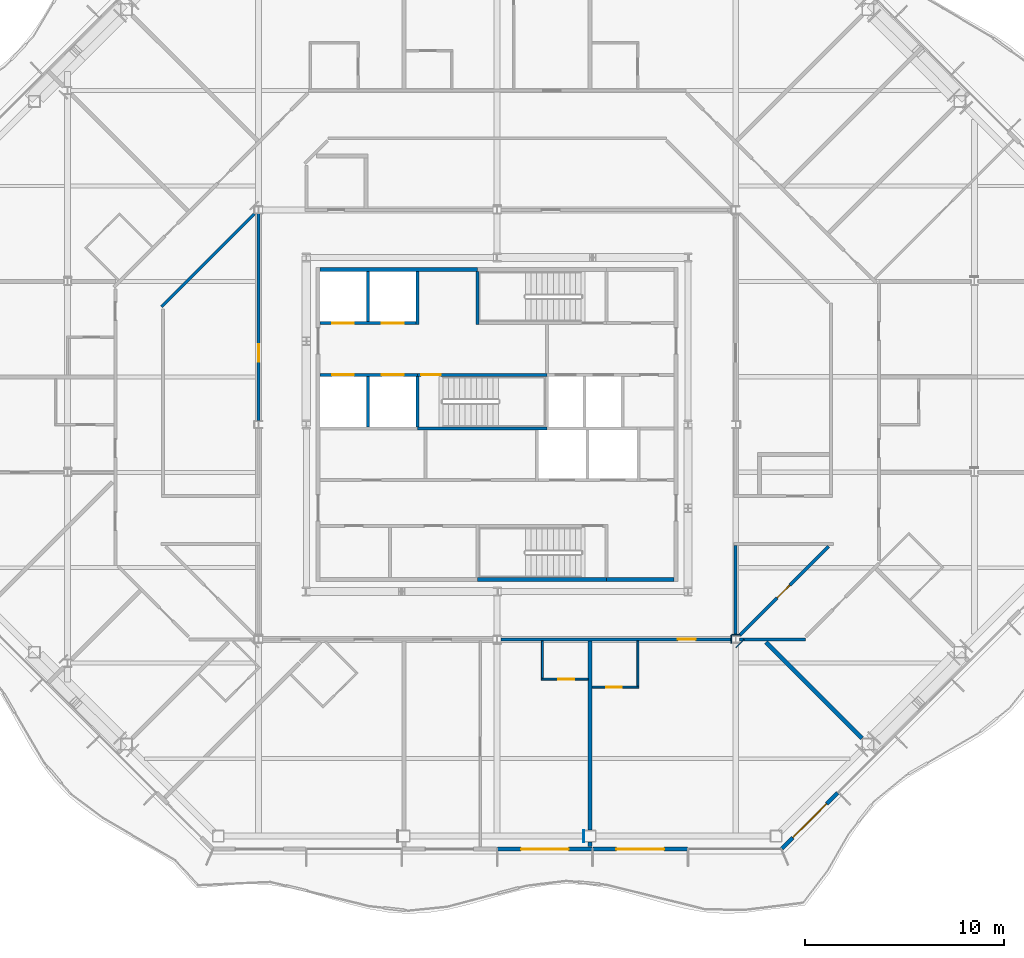
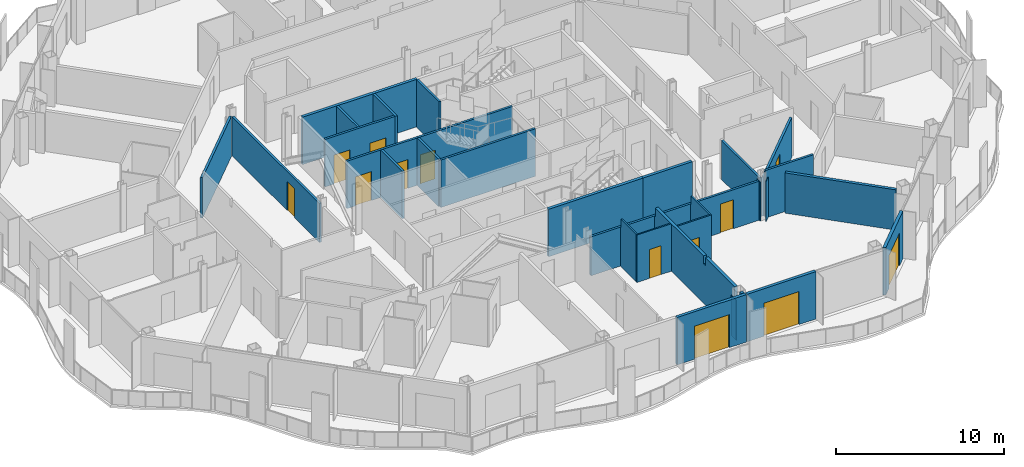
# One storey, part 9 of 21: 32 walls, 13 doors, 13 openings.
"""IFC4 building model written with IfcOpenShell, lengths in metres."""

from ifc_helpers import new_model, si_unit, direction, frame, frame_2d, origin, place, context, subcontext, project, spatial, polyline, rectangle, outline, extrude, material, layer, layer_set, type_object, element, fill, save


model = new_model("IFC4")

# Units and contexts
model_context = context("Model", 3, precision=1e-05, world=origin(), true_north=direction((0.0, 1.0)))
body_context = subcontext(model_context, "Body", "Model", "MODEL_VIEW")
ifc_project = project(units=[si_unit("LENGTHUNIT", "METRE"), si_unit("AREAUNIT", "SQUARE_METRE"), si_unit("VOLUMEUNIT", "CUBIC_METRE"), si_unit("PLANEANGLEUNIT", "RADIAN"), si_unit("MASSUNIT", "GRAM", prefix="KILO")], contexts=[model_context])

# Site, building, storey
site_placement = place(None, origin())
site = spatial("IfcSite", under=ifc_project, at=site_placement, CompositionType="ELEMENT")
building_placement = place(site_placement, origin())
building = spatial("IfcBuilding", under=site, at=building_placement, Name="Cairn Pilgrim Tower", CompositionType="ELEMENT")
storey_placement = place(building_placement, frame((0.0, 0.0, 150.60009765625)))
storey = spatial("IfcBuildingStorey", under=building, at=storey_placement, Name="L37", CompositionType="ELEMENT", Elevation=150.60009765625)

# Wall, opening, door
ifc_material_1 = material(Name="Bronze anodised aluminium insulated sandwich panel with mineral wool fill", Category="aluminium")
ifc_layer_1 = layer(ifc_material_1, 0.199951171875)
ifc_layer_set_1 = layer_set([ifc_layer_1], Name="BRONZE INFILL FRAME WALL 200")
wall_type_1 = type_object("IfcWallType", Name="BRONZE INFILL FRAME WALL 200", PredefinedType="NOTDEFINED", material=ifc_layer_set_1)
wall_1_placement = place(storey_placement, frame((7.22998046875, -18.949951171875, 0.0), z_axis=(0.0, 0.0, 1.0), x_axis=(1.0, 0.0, 0.0)))
wall_1 = element("IfcWall", 1, at=wall_1_placement, inside=storey, type_object=wall_type_1, Name="Bronze infill frame wall IW-S4", PredefinedType="NOTDEFINED", context=body_context, shape_type="SweptSolid", body=[
    extrude(rectangle(XDim=4.739990234375, YDim=0.199951171875, at=frame_2d((2.3701171875, 0.0))), origin(), (0.0, 0.0, 1.0), 3.449951171875),
])
opening_1_placement = place(wall_1_placement, frame((1.17041015625, 0.0, 0.0)))
opening_1 = element("IfcOpeningElement", 2, at=opening_1_placement, cuts=wall_1, Name="Opening 3720SB", PredefinedType="OPENING", context=body_context, shape_type="SweptSolid", body=[
    extrude(rectangle(XDim=2.39990234375, YDim=2.39990234375, at=frame_2d((1.199951171875, 1.199951171875))), frame((0.0, 0.10986328125, 0.0), z_axis=(0.0, -1.0, 0.0), x_axis=(1.0, 0.0, 0.0)), (0.0, 0.0, 1.0), 0.219970703125),
])
ifc_material_2 = material(Name="Bronze anodised aluminium frame with tinted low-E glass", Category="aluminium")
door_type_1 = type_object("IfcDoorType", Name="BALCONY SLIDING DOOR 2400x2400", OperationType="DOUBLE_DOOR_SLIDING", PredefinedType="DOOR", material=ifc_material_2)
door_1_placement = place(opening_1_placement, origin())
door_1 = element("IfcDoor", 3, at=door_1_placement, inside=storey, type_object=door_type_1, Name="Balcony sliding door 3720SB", OperationType="SINGLE_SWING_LEFT", OverallHeight=2.39990234375, OverallWidth=2.39990234375, PredefinedType="DOOR", context=body_context, shape_type="SweptSolid", body=[
    extrude(rectangle(XDim=2.39990234375, YDim=2.39990234375, at=frame_2d((1.199951171875, 1.199951171875))), frame((0.0, 0.02490234375, 0.0), z_axis=(0.0, -1.0, 0.0), x_axis=(1.0, 0.0, 0.0)), (0.0, 0.0, 1.0), 0.050048828125),
])
fill(opening_1, door_1)

wall_2_placement = place(storey_placement, frame((12.030029296875, -18.949951171875, 0.0), z_axis=(0.0, 0.0, 1.0), x_axis=(1.0, 0.0, 0.0)))
wall_2 = element("IfcWall", 4, at=wall_2_placement, inside=storey, type_object=wall_type_1, Name="Bronze infill frame wall IW-S5", PredefinedType="NOTDEFINED", context=body_context, shape_type="SweptSolid", body=[
    extrude(rectangle(XDim=4.739990234375, YDim=0.199951171875, at=frame_2d((2.3701171875, 0.0))), origin(), (0.0, 0.0, 1.0), 3.449951171875),
])
opening_2_placement = place(wall_2_placement, frame((1.169677734375, 0.0, 0.0)))
opening_2 = element("IfcOpeningElement", 5, at=opening_2_placement, cuts=wall_2, Name="Opening 3701B", PredefinedType="OPENING", context=body_context, shape_type="SweptSolid", body=[
    extrude(rectangle(XDim=2.39990234375, YDim=2.39990234375, at=frame_2d((1.199951171875, 1.199951171875))), frame((0.0, 0.10986328125, 0.0), z_axis=(0.0, -1.0, 0.0), x_axis=(1.0, 0.0, 0.0)), (0.0, 0.0, 1.0), 0.219970703125),
])
door_2_placement = place(opening_2_placement, origin())
door_2 = element("IfcDoor", 6, at=door_2_placement, inside=storey, type_object=door_type_1, Name="Balcony sliding door 3701B", OperationType="SINGLE_SWING_LEFT", OverallHeight=2.39990234375, OverallWidth=2.39990234375, PredefinedType="DOOR", context=body_context, shape_type="SweptSolid", body=[
    extrude(rectangle(XDim=2.39990234375, YDim=2.39990234375, at=frame_2d((1.199951171875, 1.199951171875))), frame((0.0, 0.02490234375, 0.0), z_axis=(0.0, -1.0, 0.0), x_axis=(1.0, 0.0, 0.0)), (0.0, 0.0, 1.0), 0.050048828125),
])
fill(opening_2, door_2)

wall_3_placement = place(storey_placement, frame((21.524658203125, -18.921630859375, 0.0), z_axis=(0.0, 0.0, 1.0), x_axis=(0.707137595296, 0.707075965734, 0.0)))
wall_3 = element("IfcWall", 7, at=wall_3_placement, inside=storey, type_object=wall_type_1, Name="Bronze infill frame wall IW-SE1", PredefinedType="NOTDEFINED", context=body_context, shape_type="SweptSolid", body=[
    extrude(rectangle(XDim=3.96142578125, YDim=0.199951171875, at=frame_2d((1.980712890625, 0.0))), origin(), (0.0, 0.0, 1.0), 3.449951171875),
])
opening_3_placement = place(wall_3_placement, frame((0.775390625, 0.0, 0.0)))
opening_3 = element("IfcOpeningElement", 8, at=opening_3_placement, cuts=wall_3, Name="Opening 3701B2", PredefinedType="OPENING", context=body_context, shape_type="SweptSolid", body=[
    extrude(rectangle(XDim=2.39990234375, YDim=2.39990234375, at=frame_2d((1.199951171875, 1.199951171875))), frame((0.0, 0.10986328125, 0.0), z_axis=(0.0, -1.0, 0.0), x_axis=(1.0, 0.0, 0.0)), (0.0, 0.0, 1.0), 0.219970703125),
])
door_3_placement = place(opening_3_placement, origin())
door_3 = element("IfcDoor", 9, at=door_3_placement, inside=storey, type_object=door_type_1, Name="Balcony sliding door 3701B2", OperationType="SINGLE_SWING_LEFT", OverallHeight=2.39990234375, OverallWidth=2.39990234375, PredefinedType="DOOR", context=body_context, shape_type="SweptSolid", body=[
    extrude(rectangle(XDim=2.39990234375, YDim=2.39990234375, at=frame_2d((1.199951171875, 1.199951171875))), frame((0.0, 0.02490234375, 0.0), z_axis=(0.0, -1.0, 0.0), x_axis=(1.0, 0.0, 0.0)), (0.0, 0.0, 1.0), 0.050048828125),
])
fill(opening_3, door_3)

# Walls
ifc_material_3 = material(Name="Concrete C32/40", Category="concrete")
ifc_layer_2 = layer(ifc_material_3, 0.199951171875)
ifc_layer_set_2 = layer_set([ifc_layer_2], Name="CORE OUTER WALL 200 EI 120")
wall_type_2 = type_object("IfcWallType", Name="CORE OUTER WALL 200 EI 120", PredefinedType="SOLIDWALL", material=ifc_layer_set_2)
wall_4_placement = place(storey_placement, frame((12.699951171875, -5.39990234375, 0.0), z_axis=(0.0, 0.0, 1.0), x_axis=(1.0, 0.0, 0.0)))
element("IfcWall", 10, at=wall_4_placement, inside=storey, type_object=wall_type_2, Name="CW:L37:H01-3", PredefinedType="SOLIDWALL", context=body_context, shape_type="SweptSolid", body=[
    extrude(rectangle(XDim=3.400146484375, YDim=0.199951171875, at=frame_2d((1.7001953125, 0.0))), origin(), (0.0, 0.0, 1.0), 3.449951171875),
])
wall_5_placement = place(storey_placement, frame((-1.699951171875, 10.199951171875, 0.0), z_axis=(0.0, 0.0, 1.0), x_axis=(1.0, 0.0, 0.0)))
element("IfcWall", 11, at=wall_5_placement, inside=storey, type_object=wall_type_2, Name="CW:L37:H12-1", PredefinedType="SOLIDWALL", context=body_context, shape_type="SweptSolid", body=[
    extrude(rectangle(XDim=7.89990234375, YDim=0.199951171875, at=frame_2d((3.949951171875, 0.0))), origin(), (0.0, 0.0, 1.0), 3.449951171875),
])

# Wall, openings, doors
ifc_layer_3 = layer(ifc_material_3, 0.14990234375)
ifc_layer_set_3 = layer_set([ifc_layer_3], Name="CORE SHAFT WALL 150 EI 120")
wall_type_3 = type_object("IfcWallType", Name="CORE SHAFT WALL 150 EI 120", PredefinedType="SOLIDWALL", material=ifc_layer_set_3)
wall_6_placement = place(storey_placement, frame((-1.699951171875, 4.89990234375, 0.0), z_axis=(0.0, 0.0, 1.0), x_axis=(1.0, 0.0, 0.0)))
wall_6 = element("IfcWall", 12, at=wall_6_placement, inside=storey, type_object=wall_type_3, Name="CW:L37:H09-1", PredefinedType="SOLIDWALL", context=body_context, shape_type="SweptSolid", body=[
    extrude(rectangle(XDim=4.89990234375, YDim=0.14990234375, at=frame_2d((2.449951171875, 0.0))), origin(), (0.0, 0.0, 1.0), 3.449951171875),
])
opening_4_placement = place(wall_6_placement, frame((0.60009765625, 0.0, 0.0)))
opening_4 = element("IfcOpeningElement", 13, at=opening_4_placement, cuts=wall_6, Name="Opening LD-HR1", PredefinedType="OPENING", context=body_context, shape_type="SweptSolid", body=[
    extrude(rectangle(XDim=1.10009765625, YDim=2.10009765625, at=frame_2d((0.550048828125, 1.050048828125))), frame((0.0, 0.0849609375, 0.0), z_axis=(0.0, -1.0, 0.0), x_axis=(1.0, 0.0, 0.0)), (0.0, 0.0, 1.0), 0.169921875),
])
opening_5_placement = place(wall_6_placement, frame((3.10009765625, 0.0, 0.0)))
opening_5 = element("IfcOpeningElement", 14, at=opening_5_placement, cuts=wall_6, Name="Opening LD-HR2", PredefinedType="OPENING", context=body_context, shape_type="SweptSolid", body=[
    extrude(rectangle(XDim=1.10009765625, YDim=2.10009765625, at=frame_2d((0.550048828125, 1.050048828125))), frame((0.0, 0.0849609375, 0.0), z_axis=(0.0, -1.0, 0.0), x_axis=(1.0, 0.0, 0.0)), (0.0, 0.0, 1.0), 0.169921875),
])
ifc_material_4 = material(Name="Stainless steel", Category="steel")
door_type_2 = type_object("IfcDoorType", Name="LIFT LANDING DOOR 1100x2100", OperationType="DOUBLE_DOOR_SLIDING", PredefinedType="DOOR", material=ifc_material_4)
door_4_placement = place(opening_4_placement, origin())
door_4 = element("IfcDoor", 15, at=door_4_placement, inside=storey, type_object=door_type_2, Name="LANDING DOOR HR1", OperationType="DOUBLE_DOOR_SLIDING", OverallHeight=2.10009765625, OverallWidth=1.10009765625, PredefinedType="DOOR", context=body_context, shape_type="SweptSolid", body=[
    extrude(rectangle(XDim=1.10009765625, YDim=2.10009765625, at=frame_2d((0.550048828125, 1.050048828125))), frame((0.0, 0.02490234375, 0.0), z_axis=(0.0, -1.0, 0.0), x_axis=(1.0, 0.0, 0.0)), (0.0, 0.0, 1.0), 0.050048828125),
])
fill(opening_4, door_4)
door_5_placement = place(opening_5_placement, origin())
door_5 = element("IfcDoor", 16, at=door_5_placement, inside=storey, type_object=door_type_2, Name="LANDING DOOR HR2", OperationType="DOUBLE_DOOR_SLIDING", OverallHeight=2.10009765625, OverallWidth=1.10009765625, PredefinedType="DOOR", context=body_context, shape_type="SweptSolid", body=[
    extrude(rectangle(XDim=1.10009765625, YDim=2.10009765625, at=frame_2d((0.550048828125, 1.050048828125))), frame((0.0, 0.02490234375, 0.0), z_axis=(0.0, -1.0, 0.0), x_axis=(1.0, 0.0, 0.0)), (0.0, 0.0, 1.0), 0.050048828125),
])
fill(opening_5, door_5)

wall_7_placement = place(storey_placement, frame((-1.699951171875, 7.5, 0.0), z_axis=(0.0, 0.0, 1.0), x_axis=(1.0, 0.0, 0.0)))
wall_7 = element("IfcWall", 17, at=wall_7_placement, inside=storey, type_object=wall_type_3, Name="CW:L37:H10", PredefinedType="SOLIDWALL", context=body_context, shape_type="SweptSolid", body=[
    extrude(rectangle(XDim=4.824951171875, YDim=0.14990234375, at=frame_2d((2.41259765625, 0.0))), origin(), (0.0, 0.0, 1.0), 3.449951171875),
])
opening_6_placement = place(wall_7_placement, frame((0.60009765625, 0.0, 0.0)))
opening_6 = element("IfcOpeningElement", 18, at=opening_6_placement, cuts=wall_7, Name="Opening LD-HR3", PredefinedType="OPENING", context=body_context, shape_type="SweptSolid", body=[
    extrude(rectangle(XDim=1.10009765625, YDim=2.10009765625, at=frame_2d((0.550048828125, 1.050048828125))), frame((0.0, 0.0849609375, 0.0), z_axis=(0.0, -1.0, 0.0), x_axis=(1.0, 0.0, 0.0)), (0.0, 0.0, 1.0), 0.169921875),
])
opening_7_placement = place(wall_7_placement, frame((3.10009765625, 0.0, 0.0)))
opening_7 = element("IfcOpeningElement", 19, at=opening_7_placement, cuts=wall_7, Name="Opening LD-HR4", PredefinedType="OPENING", context=body_context, shape_type="SweptSolid", body=[
    extrude(rectangle(XDim=1.10009765625, YDim=2.10009765625, at=frame_2d((0.550048828125, 1.050048828125))), frame((0.0, 0.0849609375, 0.0), z_axis=(0.0, -1.0, 0.0), x_axis=(1.0, 0.0, 0.0)), (0.0, 0.0, 1.0), 0.169921875),
])
door_6_placement = place(opening_6_placement, origin())
door_6 = element("IfcDoor", 20, at=door_6_placement, inside=storey, type_object=door_type_2, Name="LANDING DOOR HR3", OperationType="DOUBLE_DOOR_SLIDING", OverallHeight=2.10009765625, OverallWidth=1.10009765625, PredefinedType="DOOR", context=body_context, shape_type="SweptSolid", body=[
    extrude(rectangle(XDim=1.10009765625, YDim=2.10009765625, at=frame_2d((0.550048828125, 1.050048828125))), frame((0.0, 0.02490234375, 0.0), z_axis=(0.0, -1.0, 0.0), x_axis=(1.0, 0.0, 0.0)), (0.0, 0.0, 1.0), 0.050048828125),
])
fill(opening_6, door_6)
door_7_placement = place(opening_7_placement, origin())
door_7 = element("IfcDoor", 21, at=door_7_placement, inside=storey, type_object=door_type_2, Name="LANDING DOOR HR4", OperationType="DOUBLE_DOOR_SLIDING", OverallHeight=2.10009765625, OverallWidth=1.10009765625, PredefinedType="DOOR", context=body_context, shape_type="SweptSolid", body=[
    extrude(rectangle(XDim=1.10009765625, YDim=2.10009765625, at=frame_2d((0.550048828125, 1.050048828125))), frame((0.0, 0.02490234375, 0.0), z_axis=(0.0, -1.0, 0.0), x_axis=(1.0, 0.0, 0.0)), (0.0, 0.0, 1.0), 0.050048828125),
])
fill(opening_7, door_7)

# Walls
wall_8_placement = place(storey_placement, frame((0.699951171875, 2.27490234375, 0.0), z_axis=(0.0, 0.0, 1.0), x_axis=(0.0, 1.0, 0.0)))
element("IfcWall", 22, at=wall_8_placement, inside=storey, type_object=wall_type_3, Name="CW:L37:V14", PredefinedType="SOLIDWALL", context=body_context, shape_type="SweptSolid", body=[
    extrude(rectangle(XDim=2.550048828125, YDim=0.14990234375, at=frame_2d((1.27490234375, 0.0))), origin(), (0.0, 0.0, 1.0), 3.449951171875),
])
wall_9_placement = place(storey_placement, frame((0.699951171875, 7.574951171875, 0.0), z_axis=(0.0, 0.0, 1.0), x_axis=(0.0, 1.0, 0.0)))
element("IfcWall", 23, at=wall_9_placement, inside=storey, type_object=wall_type_3, Name="CW:L37:V15", PredefinedType="SOLIDWALL", context=body_context, shape_type="SweptSolid", body=[
    extrude(rectangle(XDim=2.525146484375, YDim=0.14990234375, at=frame_2d((1.2626953125, 0.0))), origin(), (0.0, 0.0, 1.0), 3.449951171875),
])
wall_10_placement = place(storey_placement, frame((3.199951171875, 7.425048828125, 0.0), z_axis=(0.0, 0.0, 1.0), x_axis=(0.0, 1.0, 0.0)))
element("IfcWall", 24, at=wall_10_placement, inside=storey, type_object=wall_type_3, Name="CW:L37:V18", PredefinedType="SOLIDWALL", context=body_context, shape_type="SweptSolid", body=[
    extrude(rectangle(XDim=2.675048828125, YDim=0.14990234375, at=frame_2d((1.33740234375, 0.0))), origin(), (0.0, 0.0, 1.0), 3.449951171875),
])

# Wall, opening, door
ifc_material_5 = material(Name="Gypsum partition")
ifc_layer_4 = layer(ifc_material_5, 0.10009765625)
ifc_layer_set_4 = layer_set([ifc_layer_4], Name="PARTITION 100 DRYWALL")
wall_type_4 = type_object("IfcWallType", Name="PARTITION 100 DRYWALL", PredefinedType="PARTITIONING", material=ifc_layer_set_4)
wall_11_placement = place(storey_placement, frame((11.97607421875, -10.800048828125, 0.0), z_axis=(0.0, 0.0, 1.0), x_axis=(1.0, 0.0, 0.0)))
wall_11 = element("IfcWall", 25, at=wall_11_placement, inside=storey, type_object=wall_type_4, Name="PARTITION W015", PredefinedType="PARTITIONING", context=body_context, shape_type="SweptSolid", body=[
    extrude(rectangle(XDim=2.349853515625, YDim=0.10009765625, at=frame_2d((1.1748046875, 0.0))), origin(), (0.0, 0.0, 1.0), 3.449951171875),
])
opening_8_placement = place(wall_11_placement, frame((0.699951171875, 0.0, 0.0)))
opening_8 = element("IfcOpeningElement", 26, at=opening_8_placement, cuts=wall_11, Name="Opening 3701A", PredefinedType="OPENING", context=body_context, shape_type="SweptSolid", body=[
    extrude(rectangle(XDim=0.800048828125, YDim=2.10009765625, at=frame_2d((0.39990234375, 1.050048828125))), frame((0.0, 0.06005859375, 0.0), z_axis=(0.0, -1.0, 0.0), x_axis=(1.0, 0.0, 0.0)), (0.0, 0.0, 1.0), 0.1201171875),
])
ifc_material_6 = material(Name="Timber door leaf", Category="wood")
door_type_3 = type_object("IfcDoorType", Name="WC DOOR 800x2100", OperationType="NOTDEFINED", PredefinedType="DOOR", material=ifc_material_6)
door_8_placement = place(opening_8_placement, frame((0.800048828125, 0.0, 0.0), z_axis=(0.0, 0.0, 1.0), x_axis=(-1.0, 0.0, 0.0)))
door_8 = element("IfcDoor", 27, at=door_8_placement, inside=storey, type_object=door_type_3, Name="DOOR 3701A", OperationType="SINGLE_SWING_LEFT", OverallHeight=2.10009765625, OverallWidth=0.800048828125, PredefinedType="DOOR", context=body_context, shape_type="SweptSolid", body=[
    extrude(rectangle(XDim=0.800048828125, YDim=2.10009765625, at=frame_2d((0.39990234375, 1.050048828125))), frame((0.0, 0.02490234375, 0.0), z_axis=(0.0, -1.0, 0.0), x_axis=(1.0, 0.0, 0.0)), (0.0, 0.0, 1.0), 0.050048828125),
])
fill(opening_8, door_8)

# Wall
wall_12_placement = place(storey_placement, frame((14.27587890625, -10.75, 0.0), z_axis=(0.0, 0.0, 1.0), x_axis=(0.0, 1.0, 0.0)))
element("IfcWall", 28, at=wall_12_placement, inside=storey, type_object=wall_type_4, Name="PARTITION W016", PredefinedType="PARTITIONING", context=body_context, shape_type="SweptSolid", body=[
    extrude(outline(polyline([(0.0, 0.0), (2.27490234375, 0.0), (2.27490234375, 2.829833984375), (2.199951171875, 2.829833984375), (2.197998046875, 3.449951171875), (0.0, 3.449951171875), (0.0, 0.0)])), frame((0.0, 0.050048828125, 0.0), z_axis=(0.0, -1.0, 0.0), x_axis=(1.0, 0.0, 0.0)), (0.0, 0.0, 1.0), 0.10009765625),
])

# Wall, opening, door
wall_13_placement = place(storey_placement, frame((9.426025390625, -10.39990234375, 0.0), z_axis=(0.0, 0.0, 1.0), x_axis=(1.0, 0.0, 0.0)))
wall_13 = element("IfcWall", 29, at=wall_13_placement, inside=storey, type_object=wall_type_4, Name="PARTITION W018", PredefinedType="PARTITIONING", context=body_context, shape_type="SweptSolid", body=[
    extrude(rectangle(XDim=2.349853515625, YDim=0.10009765625, at=frame_2d((1.1748046875, 0.0))), origin(), (0.0, 0.0, 1.0), 3.449951171875),
])
opening_9_placement = place(wall_13_placement, frame((0.85009765625, 0.0, 0.0)))
opening_9 = element("IfcOpeningElement", 30, at=opening_9_placement, cuts=wall_13, Name="Opening 3720A", PredefinedType="OPENING", context=body_context, shape_type="SweptSolid", body=[
    extrude(rectangle(XDim=0.800048828125, YDim=2.10009765625, at=frame_2d((0.39990234375, 1.050048828125))), frame((0.0, 0.06005859375, 0.0), z_axis=(0.0, -1.0, 0.0), x_axis=(1.0, 0.0, 0.0)), (0.0, 0.0, 1.0), 0.1201171875),
])
door_9_placement = place(opening_9_placement, frame((0.800048828125, 0.0, 0.0), z_axis=(0.0, 0.0, 1.0), x_axis=(-1.0, 0.0, 0.0)))
door_9 = element("IfcDoor", 31, at=door_9_placement, inside=storey, type_object=door_type_3, Name="DOOR 3720A", OperationType="SINGLE_SWING_LEFT", OverallHeight=2.10009765625, OverallWidth=0.800048828125, PredefinedType="DOOR", context=body_context, shape_type="SweptSolid", body=[
    extrude(rectangle(XDim=0.800048828125, YDim=2.10009765625, at=frame_2d((0.39990234375, 1.050048828125))), frame((0.0, 0.02490234375, 0.0), z_axis=(0.0, -1.0, 0.0), x_axis=(1.0, 0.0, 0.0)), (0.0, 0.0, 1.0), 0.050048828125),
])
fill(opening_9, door_9)

# Wall
wall_14_placement = place(storey_placement, frame((9.47607421875, -10.35009765625, 0.0), z_axis=(0.0, 0.0, 1.0), x_axis=(0.0, 1.0, 0.0)))
element("IfcWall", 32, at=wall_14_placement, inside=storey, type_object=wall_type_4, Name="PARTITION W019", PredefinedType="PARTITIONING", context=body_context, shape_type="SweptSolid", body=[
    extrude(outline(polyline([(0.0, 0.0), (1.875, 0.0), (1.875, 2.829833984375), (1.800048828125, 2.829833984375), (1.798095703125, 3.449951171875), (0.0, 3.449951171875), (0.0, 0.0)])), frame((0.0, 0.050048828125, 0.0), z_axis=(0.0, -1.0, 0.0), x_axis=(1.0, 0.0, 0.0)), (0.0, 0.0, 1.0), 0.10009765625),
])

# Wall, opening, door
ifc_layer_5 = layer(ifc_material_5, 0.14990234375)
ifc_layer_set_5 = layer_set([ifc_layer_5], Name="PARTITION 150 DRYWALL EI 60")
wall_type_5 = type_object("IfcWallType", Name="PARTITION 150 DRYWALL EI 60", PredefinedType="PARTITIONING", material=ifc_layer_set_5)
wall_15_placement = place(storey_placement, frame((7.3994140625, -8.39990234375, 0.0), z_axis=(0.0, 0.0, 1.0), x_axis=(1.0, 0.0, 0.0)))
wall_15 = element("IfcWall", 33, at=wall_15_placement, inside=storey, type_object=wall_type_5, Name="PARTITION W028", PredefinedType="PARTITIONING", context=body_context, shape_type="SweptSolid", body=[
    extrude(rectangle(XDim=11.60107421875, YDim=0.14990234375, at=frame_2d((5.800537109375, 0.0))), origin(), (0.0, 0.0, 1.0), 2.829833984375),
])
opening_10_placement = place(wall_15_placement, frame((8.888427734375, 0.0, 0.0)))
opening_10 = element("IfcOpeningElement", 34, at=opening_10_placement, cuts=wall_15, Name="Opening 3701", PredefinedType="OPENING", context=body_context, shape_type="SweptSolid", body=[
    extrude(rectangle(XDim=0.89990234375, YDim=2.10009765625, at=frame_2d((0.449951171875, 1.050048828125))), frame((0.0, 0.0849609375, 0.0), z_axis=(0.0, -1.0, 0.0), x_axis=(1.0, 0.0, 0.0)), (0.0, 0.0, 1.0), 0.169921875),
])
door_type_4 = type_object("IfcDoorType", Name="ROOM DOOR 900x2100 FD30S", OperationType="NOTDEFINED", PredefinedType="DOOR", material=ifc_material_6)
door_10_placement = place(opening_10_placement, frame((0.89990234375, 0.0, 0.0), z_axis=(0.0, 0.0, 1.0), x_axis=(-1.0, 0.0, 0.0)))
door_10 = element("IfcDoor", 35, at=door_10_placement, inside=storey, type_object=door_type_4, Name="DOOR 3701", OperationType="SINGLE_SWING_LEFT", OverallHeight=2.10009765625, OverallWidth=0.89990234375, PredefinedType="DOOR", context=body_context, shape_type="SweptSolid", body=[
    extrude(rectangle(XDim=0.89990234375, YDim=2.10009765625, at=frame_2d((0.449951171875, 1.050048828125))), frame((0.0, 0.02490234375, 0.0), z_axis=(0.0, -1.0, 0.0), x_axis=(1.0, 0.0, 0.0)), (0.0, 0.0, 1.0), 0.050048828125),
])
fill(opening_10, door_10)

# Walls
wall_16_placement = place(storey_placement, frame((19.3994140625, -8.39990234375, 0.0), z_axis=(0.0, 0.0, 1.0), x_axis=(1.0, 0.0, 0.0)))
element("IfcWall", 36, at=wall_16_placement, inside=storey, type_object=wall_type_5, Name="PARTITION W029", PredefinedType="PARTITIONING", context=body_context, shape_type="SweptSolid", body=[
    extrude(rectangle(XDim=3.300537109375, YDim=0.14990234375, at=frame_2d((1.650390625, 0.0))), origin(), (0.0, 0.0, 1.0), 3.449951171875),
])
wall_17_placement = place(storey_placement, frame((19.199951171875, -8.20361328125, 0.0), z_axis=(0.0, 0.0, 1.0), x_axis=(0.0, 1.0, 0.0)))
element("IfcWall", 37, at=wall_17_placement, inside=storey, type_object=wall_type_5, Name="PARTITION W034", PredefinedType="PARTITIONING", context=body_context, shape_type="SweptSolid", body=[
    extrude(rectangle(XDim=4.528564453125, YDim=0.14990234375, at=frame_2d((2.26416015625, 0.0))), origin(), (0.0, 0.0, 1.0), 2.829833984375),
])

# Wall, opening, door
wall_18_placement = place(storey_placement, frame((19.39794921875, -8.201904296875, 0.0), z_axis=(0.0, 0.0, 1.0), x_axis=(0.707126073897, 0.70708748795, 0.0)))
wall_18 = element("IfcWall", 38, at=wall_18_placement, inside=storey, type_object=wall_type_5, Name="PARTITION W035", PredefinedType="PARTITIONING", context=body_context, shape_type="SweptSolid", body=[
    extrude(rectangle(XDim=6.3271484375, YDim=0.14990234375, at=frame_2d((3.16357421875, 0.0))), origin(), (0.0, 0.0, 1.0), 2.8798828125),
])
opening_11_placement = place(wall_18_placement, frame((2.6640625, 0.0, 0.0)))
opening_11 = element("IfcOpeningElement", 39, at=opening_11_placement, cuts=wall_18, Name="Opening 3725", PredefinedType="OPENING", context=body_context, shape_type="SweptSolid", body=[
    extrude(rectangle(XDim=0.89990234375, YDim=2.10009765625, at=frame_2d((0.449951171875, 1.050048828125))), frame((0.0, 0.0849609375, 0.0), z_axis=(0.0, -1.0, 0.0), x_axis=(1.0, 0.0, 0.0)), (0.0, 0.0, 1.0), 0.169921875),
])
door_type_5 = type_object("IfcDoorType", Name="SERVICE DOOR 900x2100 FD30S", OperationType="NOTDEFINED", PredefinedType="DOOR", material=ifc_material_6)
door_11_placement = place(opening_11_placement, origin())
door_11 = element("IfcDoor", 40, at=door_11_placement, inside=storey, type_object=door_type_5, Name="DOOR 3725", OperationType="SINGLE_SWING_LEFT", OverallHeight=2.10009765625, OverallWidth=0.89990234375, PredefinedType="DOOR", context=body_context, shape_type="SweptSolid", body=[
    extrude(rectangle(XDim=0.89990234375, YDim=2.10009765625, at=frame_2d((0.449951171875, 1.050048828125))), frame((0.0, 0.02490234375, 0.0), z_axis=(0.0, -1.0, 0.0), x_axis=(1.0, 0.0, 0.0)), (0.0, 0.0, 1.0), 0.050048828125),
])
fill(opening_11, door_11)

wall_19_placement = place(storey_placement, frame((-4.800048828125, 2.596435546875, 0.0), z_axis=(0.0, 0.0, 1.0), x_axis=(0.0, 1.0, 0.0)))
wall_19 = element("IfcWall", 41, at=wall_19_placement, inside=storey, type_object=wall_type_5, Name="PARTITION W060", PredefinedType="PARTITIONING", context=body_context, shape_type="SweptSolid", body=[
    extrude(rectangle(XDim=10.406982421875, YDim=0.14990234375, at=frame_2d((5.20361328125, 0.0))), origin(), (0.0, 0.0, 1.0), 2.829833984375),
])
opening_12_placement = place(wall_19_placement, frame((2.95361328125, 0.0, 0.0)))
opening_12 = element("IfcOpeningElement", 42, at=opening_12_placement, cuts=wall_19, Name="Opening 3728", PredefinedType="OPENING", context=body_context, shape_type="SweptSolid", body=[
    extrude(rectangle(XDim=0.89990234375, YDim=2.10009765625, at=frame_2d((0.449951171875, 1.050048828125))), frame((0.0, 0.0849609375, 0.0), z_axis=(0.0, -1.0, 0.0), x_axis=(1.0, 0.0, 0.0)), (0.0, 0.0, 1.0), 0.169921875),
])
door_12_placement = place(opening_12_placement, origin())
door_12 = element("IfcDoor", 43, at=door_12_placement, inside=storey, type_object=door_type_5, Name="DOOR 3728", OperationType="SINGLE_SWING_LEFT", OverallHeight=2.10009765625, OverallWidth=0.89990234375, PredefinedType="DOOR", context=body_context, shape_type="SweptSolid", body=[
    extrude(rectangle(XDim=0.89990234375, YDim=2.10009765625, at=frame_2d((0.449951171875, 1.050048828125))), frame((0.0, 0.02490234375, 0.0), z_axis=(0.0, -1.0, 0.0), x_axis=(1.0, 0.0, 0.0)), (0.0, 0.0, 1.0), 0.050048828125),
])
fill(opening_12, door_12)

# Walls
wall_20_placement = place(storey_placement, frame((-9.675048828125, 8.324951171875, 0.0), z_axis=(0.0, 0.0, 1.0), x_axis=(0.707106781187, 0.707106781187, 0.0)))
element("IfcWall", 44, at=wall_20_placement, inside=storey, type_object=wall_type_5, Name="PARTITION W068", PredefinedType="PARTITIONING", context=body_context, shape_type="SweptSolid", body=[
    extrude(rectangle(XDim=6.6142578125, YDim=0.14990234375, at=frame_2d((3.30712890625, 0.0))), origin(), (0.0, 0.0, 1.0), 2.929931640625),
])
ifc_layer_6 = layer(ifc_material_5, 0.050048828125)
ifc_layer_set_6 = layer_set([ifc_layer_6], Name="PARTITION 50 DRYWALL EI 60")
wall_type_6 = type_object("IfcWallType", Name="PARTITION 50 DRYWALL EI 60", PredefinedType="PARTITIONING", material=ifc_layer_set_6)
wall_21_placement = place(storey_placement, frame((11.55078125, -18.60009765625, 0.0), z_axis=(0.0, 0.0, 1.0), x_axis=(0.0, 1.0, 0.0)))
element("IfcWall", 45, at=wall_21_placement, inside=storey, type_object=wall_type_6, Name="COLUMN CASING WC02", PredefinedType="PARTITIONING", context=body_context, shape_type="SweptSolid", body=[
    extrude(rectangle(XDim=0.60009765625, YDim=0.050048828125, at=frame_2d((0.300048828125, 0.0))), origin(), (0.0, 0.0, 1.0), 2.929931640625),
])
wall_22_placement = place(storey_placement, frame((19.00048828125, -8.178466796875, 0.0), z_axis=(0.0, 0.0, 1.0), x_axis=(1.0, 0.0, 0.0)))
element("IfcWall", 46, at=wall_22_placement, inside=storey, type_object=wall_type_6, Name="COLUMN CASING WC12", PredefinedType="PARTITIONING", context=body_context, shape_type="SweptSolid", body=[
    extrude(rectangle(XDim=0.39892578125, YDim=0.050048828125, at=frame_2d((0.199462890625, 0.0))), origin(), (0.0, 0.0, 1.0), 2.829833984375),
])
wall_23_placement = place(storey_placement, frame((18.9755859375, -8.596435546875, 0.0), z_axis=(0.0, 0.0, 1.0), x_axis=(0.0, 1.0, 0.0)))
element("IfcWall", 47, at=wall_23_placement, inside=storey, type_object=wall_type_6, Name="COLUMN CASING WC15", PredefinedType="PARTITIONING", context=body_context, shape_type="SweptSolid", body=[
    extrude(rectangle(XDim=0.392822265625, YDim=0.050048828125, at=frame_2d((0.1962890625, 0.0))), origin(), (0.0, 0.0, 1.0), 2.829833984375),
])
wall_24_placement = place(storey_placement, frame((19.2177734375, -8.813720703125, 0.0), z_axis=(0.0, 0.0, 1.0), x_axis=(0.707106781187, 0.707106781187, 0.0)))
element("IfcWall", 48, at=wall_24_placement, inside=storey, type_object=wall_type_6, Name="COLUMN CASING WC16", PredefinedType="PARTITIONING", context=body_context, shape_type="SweptSolid", body=[
    extrude(rectangle(XDim=0.56005859375, YDim=0.050048828125, at=frame_2d((0.280029296875, 0.0))), origin(), (0.0, 0.0, 1.0), 2.929931640625),
])
ifc_layer_7 = layer(ifc_material_5, 0.199951171875)
ifc_layer_set_7 = layer_set([ifc_layer_7], Name="SHAFT WALL 200 GYPSUM EI 60")
wall_type_7 = type_object("IfcWallType", Name="SHAFT WALL 200 GYPSUM EI 60", PredefinedType="PARTITIONING", material=ifc_layer_set_7)
wall_25_placement = place(storey_placement, frame((11.8759765625, -18.820068359375, 0.0), z_axis=(0.0, 0.0, 1.0), x_axis=(0.0, 1.0, 0.0)))
element("IfcWall", 49, at=wall_25_placement, inside=storey, type_object=wall_type_7, Name="PARTITION W003", PredefinedType="PARTITIONING", context=body_context, shape_type="SweptSolid", body=[
    extrude(rectangle(XDim=0.219970703125, YDim=0.199951171875, at=frame_2d((0.10986328125, 0.0))), origin(), (0.0, 0.0, 1.0), 3.449951171875),
])
wall_26_placement = place(storey_placement, frame((11.8759765625, -18.0, 0.0), z_axis=(0.0, 0.0, 1.0), x_axis=(0.0, 1.0, 0.0)))
element("IfcWall", 50, at=wall_26_placement, inside=storey, type_object=wall_type_7, Name="PARTITION W005", PredefinedType="PARTITIONING", context=body_context, shape_type="SweptSolid", body=[
    extrude(outline(polyline([(0.0, 0.0), (9.52490234375, 0.0), (9.52490234375, 2.829833984375), (9.449951171875, 2.829833984375), (9.447998046875, 3.449951171875), (3.705078125, 3.449951171875), (3.702880859375, 2.8798828125), (3.4951171875, 2.8798828125), (3.492919921875, 3.449951171875), (0.0, 3.449951171875), (0.0, 0.0)])), frame((0.0, 0.10009765625, 0.0), z_axis=(0.0, -1.0, 0.0), x_axis=(1.0, 0.0, 0.0)), (0.0, 0.0, 1.0), 0.199951171875),
])
wall_27_placement = place(storey_placement, frame((25.551513671875, -13.37548828125, 0.0), z_axis=(0.0, 0.0, 1.0), x_axis=(-0.707106781187, 0.707106781187, 0.0)))
element("IfcWall", 51, at=wall_27_placement, inside=storey, type_object=wall_type_7, Name="PARTITION W010", PredefinedType="PARTITIONING", context=body_context, shape_type="SweptSolid", body=[
    extrude(rectangle(XDim=6.830322265625, YDim=0.199951171875, at=frame_2d((3.4150390625, 0.0))), origin(), (0.0, 0.0, 1.0), 2.929931640625),
])
ifc_material_7 = material(Name="Concrete C35/45", Category="concrete")
ifc_layer_8 = layer(ifc_material_7, 0.14990234375)
ifc_layer_set_8 = layer_set([ifc_layer_8], Name="STAIR SHAFT WALL 150 EI 120")
wall_type_8 = type_object("IfcWallType", Name="STAIR SHAFT WALL 150 EI 120", PredefinedType="SOLIDWALL", material=ifc_layer_set_8)
wall_28_placement = place(storey_placement, frame((3.199951171875, 2.199951171875, 0.0), z_axis=(0.0, 0.0, 1.0), x_axis=(1.0, 0.0, 0.0)))
element("IfcWall", 52, at=wall_28_placement, inside=storey, type_object=wall_type_8, Name="CW:L37:H07-2", PredefinedType="SOLIDWALL", context=body_context, shape_type="SweptSolid", body=[
    extrude(rectangle(XDim=6.5, YDim=0.14990234375, at=frame_2d((3.25, 0.0))), origin(), (0.0, 0.0, 1.0), 3.449951171875),
])

# Wall, opening, door
wall_29_placement = place(storey_placement, frame((3.199951171875, 4.89990234375, 0.0), z_axis=(0.0, 0.0, 1.0), x_axis=(1.0, 0.0, 0.0)))
wall_29 = element("IfcWall", 53, at=wall_29_placement, inside=storey, type_object=wall_type_8, Name="CW:L37:H09-2", PredefinedType="SOLIDWALL", context=body_context, shape_type="SweptSolid", body=[
    extrude(rectangle(XDim=6.5, YDim=0.14990234375, at=frame_2d((3.25, 0.0))), origin(), (0.0, 0.0, 1.0), 3.449951171875),
])
opening_13_placement = place(wall_29_placement, frame((0.175048828125, 0.0, 0.0)))
opening_13 = element("IfcOpeningElement", 54, at=opening_13_placement, cuts=wall_29, Name="Opening SD-B", PredefinedType="OPENING", context=body_context, shape_type="SweptSolid", body=[
    extrude(rectangle(XDim=1.0, YDim=2.10009765625, at=frame_2d((0.5, 1.050048828125))), frame((0.0, 0.0849609375, 0.0), z_axis=(0.0, -1.0, 0.0), x_axis=(1.0, 0.0, 0.0)), (0.0, 0.0, 1.0), 0.169921875),
])
ifc_material_8 = material(Name="Painted steel", Category="steel")
door_type_6 = type_object("IfcDoorType", Name="STAIR DOOR FD60S 1000x2100", OperationType="SINGLE_SWING_LEFT", PredefinedType="DOOR", material=ifc_material_8)
door_13_placement = place(opening_13_placement, origin())
door_13 = element("IfcDoor", 55, at=door_13_placement, inside=storey, type_object=door_type_6, Name="SD-B", OperationType="SINGLE_SWING_RIGHT", OverallHeight=2.10009765625, OverallWidth=1.0, PredefinedType="DOOR", context=body_context, shape_type="SweptSolid", body=[
    extrude(rectangle(XDim=1.0, YDim=2.10009765625, at=frame_2d((0.5, 1.050048828125))), frame((0.0, 0.02490234375, 0.0), z_axis=(0.0, -1.0, 0.0), x_axis=(1.0, 0.0, 0.0)), (0.0, 0.0, 1.0), 0.050048828125),
])
fill(opening_13, door_13)

# Walls
wall_30_placement = place(storey_placement, frame((3.199951171875, 2.27490234375, 0.0), z_axis=(0.0, 0.0, 1.0), x_axis=(0.0, 1.0, 0.0)))
element("IfcWall", 56, at=wall_30_placement, inside=storey, type_object=wall_type_8, Name="CW:L37:V17", PredefinedType="SOLIDWALL", context=body_context, shape_type="SweptSolid", body=[
    extrude(rectangle(XDim=2.550048828125, YDim=0.14990234375, at=frame_2d((1.27490234375, 0.0))), origin(), (0.0, 0.0, 1.0), 3.449951171875),
])
wall_31_placement = place(storey_placement, frame((6.199951171875, 7.425048828125, 0.0), z_axis=(0.0, 0.0, 1.0), x_axis=(0.0, 1.0, 0.0)))
element("IfcWall", 57, at=wall_31_placement, inside=storey, type_object=wall_type_8, Name="CW:L37:V21", PredefinedType="SOLIDWALL", context=body_context, shape_type="SweptSolid", body=[
    extrude(rectangle(XDim=2.675048828125, YDim=0.14990234375, at=frame_2d((1.33740234375, 0.0))), origin(), (0.0, 0.0, 1.0), 3.449951171875),
])
ifc_layer_9 = layer(ifc_material_7, 0.199951171875)
ifc_layer_set_9 = layer_set([ifc_layer_9], Name="STAIR SHAFT WALL 200 EI 120")
wall_type_9 = type_object("IfcWallType", Name="STAIR SHAFT WALL 200 EI 120", PredefinedType="SOLIDWALL", material=ifc_layer_set_9)
wall_32_placement = place(storey_placement, frame((6.199951171875, -5.39990234375, 0.0), z_axis=(0.0, 0.0, 1.0), x_axis=(1.0, 0.0, 0.0)))
element("IfcWall", 58, at=wall_32_placement, inside=storey, type_object=wall_type_9, Name="CW:L37:H01-2", PredefinedType="SOLIDWALL", context=body_context, shape_type="SweptSolid", body=[
    extrude(rectangle(XDim=6.5, YDim=0.199951171875, at=frame_2d((3.25, 0.0))), origin(), (0.0, 0.0, 1.0), 3.449951171875),
])

save(model, "model.ifc")
